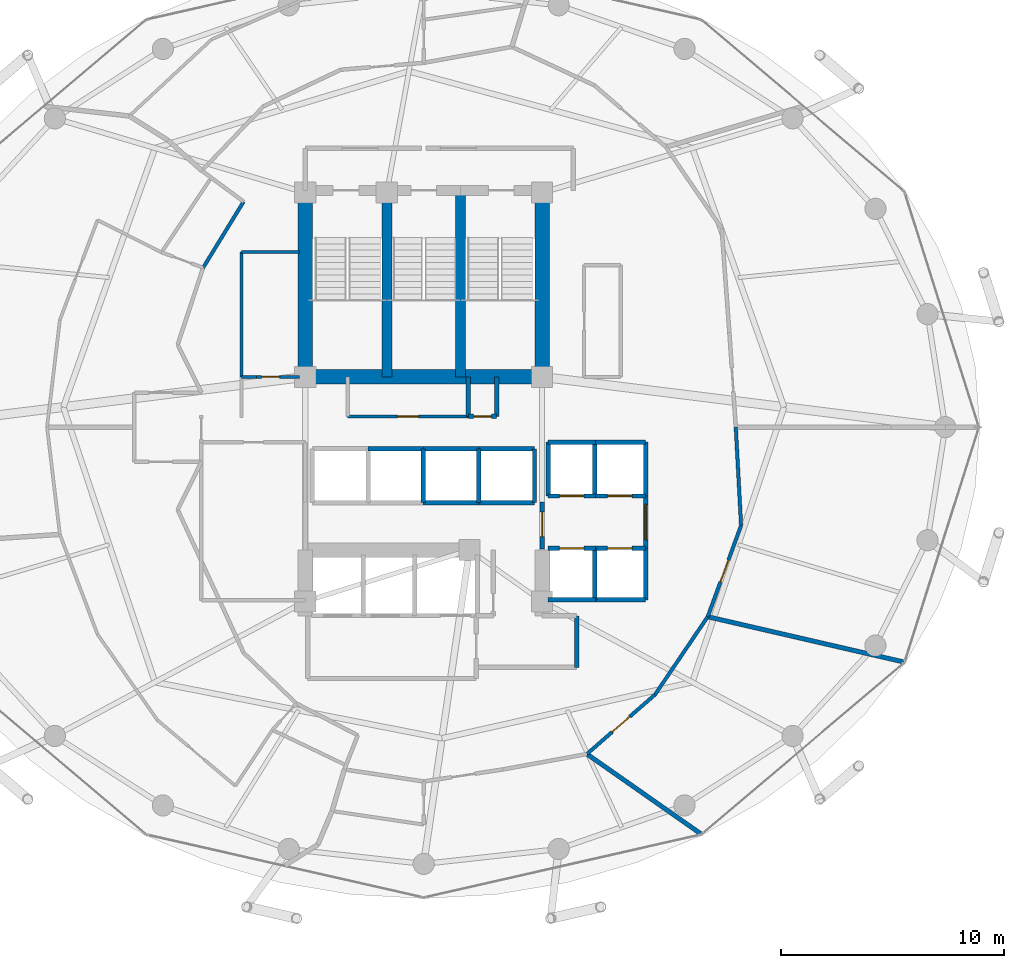
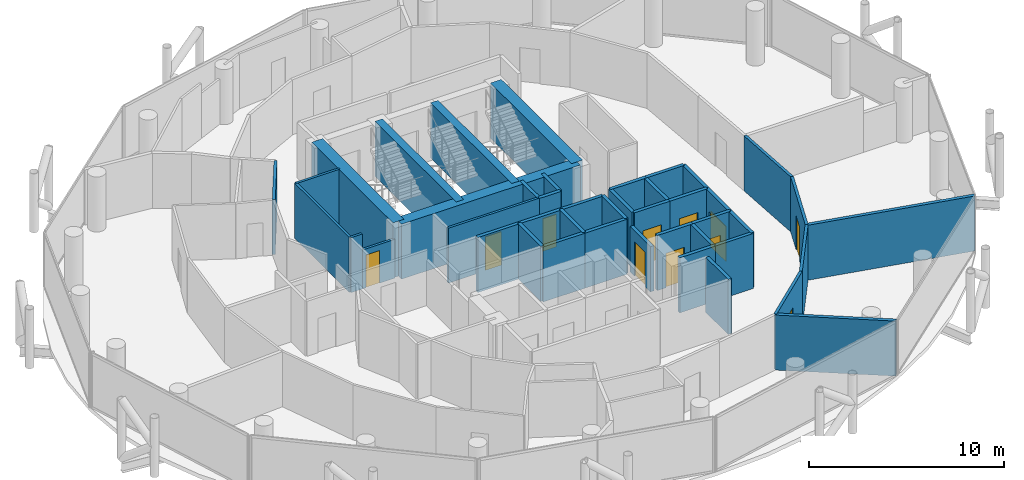
# One storey, part 23 of 27: 44 walls, 11 doors, 11 openings.
"""IFC4 building model written with IfcOpenShell, lengths in metres."""

from ifc_helpers import new_model, si_unit, direction, frame, frame_2d, origin, place, context, subcontext, project, spatial, rectangle, extrude, material, layer, layer_set, type_object, element, fill, save


model = new_model("IFC4")

# Units and contexts
model_context = context("Model", 3, precision=1e-05, world=origin(), true_north=direction((0.0, 1.0)))
body_context = subcontext(model_context, "Body", "Model", "MODEL_VIEW")
ifc_project = project(units=[si_unit("LENGTHUNIT", "METRE"), si_unit("AREAUNIT", "SQUARE_METRE"), si_unit("VOLUMEUNIT", "CUBIC_METRE"), si_unit("PLANEANGLEUNIT", "RADIAN"), si_unit("MASSUNIT", "GRAM", prefix="KILO")], contexts=[model_context])

# Site, building, storey
site_placement = place(None, origin())
site = spatial("IfcSite", under=ifc_project, at=site_placement, CompositionType="ELEMENT")
building_placement = place(site_placement, origin())
building = spatial("IfcBuilding", under=site, at=building_placement, Name="Nuhasar Tower", CompositionType="ELEMENT")
storey_placement = place(building_placement, frame((0.0, 0.0, 158.949951171875)))
storey = spatial("IfcBuildingStorey", under=building, at=storey_placement, Name="L38", CompositionType="ELEMENT", Elevation=158.949951171875)

# Walls
ifc_material_1 = material(Name="Concrete C50/60", Category="concrete")
ifc_layer_1 = layer(ifc_material_1, 0.449951171875)
ifc_layer_set_1 = layer_set([ifc_layer_1], Name="Concrete C50/60")
wall_type_1 = type_object("IfcWallType", Name="WL-CORE-450", PredefinedType="SHEAR", material=ifc_layer_set_1)
for number, where, z_axis, x_axis, name in (
    (1, (37.35009765625, 29.050048828125, 0.0), (0.0, 0.0, 1.0), (0.0, 1.0, 0.0), "L38 Stairwell Shear Wall ST01-E"),
    (2, (40.64990234375, 29.050048828125, 0.0), (0.0, 0.0, 1.0), (0.0, 1.0, 0.0), "L38 Stairwell Shear Wall ST03-E"),
):
    element("IfcWall", number, at=place(storey_placement, frame(where, z_axis=z_axis, x_axis=x_axis)), inside=storey, type_object=wall_type_1, Name=name, PredefinedType="SHEAR", context=body_context, shape_type="SweptSolid", body=[
        extrude(rectangle(XDim=8.349853515625, YDim=0.449951171875, at=frame_2d((4.1748046875, 0.0))), origin(), (0.0, 0.0, 1.0), 3.449951171875),
    ])
ifc_material_2 = material(Name="Concrete C65/80", Category="concrete")
ifc_layer_2 = layer(ifc_material_2, 0.64990234375)
ifc_layer_set_2 = layer_set([ifc_layer_2], Name="Concrete C65/80")
wall_type_2 = type_object("IfcWallType", Name="WL-CORE-650", PredefinedType="SHEAR", material=ifc_layer_set_2)
for number, where, z_axis, x_axis, name in (
    (3, (33.699951171875, 29.050048828125, 0.0), (0.0, 0.0, 1.0), (0.0, 1.0, 0.0), "L38 Core Shear Wall CW-NW CW-650"),
    (4, (44.300048828125, 29.050048828125, 0.0), (0.0, 0.0, 1.0), (0.0, 1.0, 0.0), "L38 Core Shear Wall CW-NE CW-650"),
):
    element("IfcWall", number, at=place(storey_placement, frame(where, z_axis=z_axis, x_axis=x_axis)), inside=storey, type_object=wall_type_2, Name=name, PredefinedType="SHEAR", context=body_context, shape_type="SweptSolid", body=[
        extrude(rectangle(XDim=8.349853515625, YDim=0.64990234375, at=frame_2d((4.1748046875, 0.0))), origin(), (0.0, 0.0, 1.0), 3.449951171875),
    ])
wall_1_placement = place(storey_placement, frame((33.699951171875, 29.050048828125, 0.0), z_axis=(0.0, 0.0, 1.0), x_axis=(1.0, 0.0, 0.0)))
element("IfcWall", 5, at=wall_1_placement, inside=storey, type_object=wall_type_2, Name="L38 Core Shear Wall CW-N1 CW-650", PredefinedType="SHEAR", context=body_context, shape_type="SweptSolid", body=[
    extrude(rectangle(XDim=10.60009765625, YDim=0.64990234375, at=frame_2d((5.300048828125, 0.0))), origin(), (0.0, 0.0, 1.0), 3.449951171875),
])

# Wall, opening, door
ifc_material_3 = material(Name="Gypsum Board", Category="gypsum")
ifc_layer_3 = layer(ifc_material_3, 0.159912109375)
ifc_layer_set_3 = layer_set([ifc_layer_3], Name="Gypsum Board")
wall_type_3 = type_object("IfcWallType", Name="WL-CORR-160", PredefinedType="PARTITIONING", material=ifc_layer_set_3)
wall_2_placement = place(storey_placement, frame((49.35595703125, 14.8291015625, 0.0), z_axis=(0.0, 0.0, 1.0), x_axis=(-0.753648555006, -0.657277609186, 0.0)))
wall_2 = element("IfcWall", 6, at=wall_2_placement, inside=storey, type_object=wall_type_3, Name="L38 Interior Partition CORR-40", PredefinedType="PARTITIONING", context=body_context, shape_type="SweptSolid", body=[
    extrude(rectangle(XDim=4.045654296875, YDim=0.159912109375, at=frame_2d((2.02294921875, 0.0))), origin(), (0.0, 0.0, 1.0), 3.449951171875),
])
opening_1_placement = place(wall_2_placement, frame((1.498046875, 0.0, 0.0)))
opening_1 = element("IfcOpeningElement", 7, at=opening_1_placement, cuts=wall_2, Name="Opening DU-01", PredefinedType="OPENING", context=body_context, shape_type="SweptSolid", body=[
    extrude(rectangle(XDim=1.050048828125, YDim=2.14990234375, at=frame_2d((0.52490234375, 1.074951171875))), frame((0.0, 0.08984375, 0.0), z_axis=(0.0, -1.0, 0.0), x_axis=(1.0, 0.0, 0.0)), (0.0, 0.0, 1.0), 0.179931640625),
])
ifc_material_4 = material(Name="Timber Oak", Category="wood")
door_type_1 = type_object("IfcDoorType", Name="DR-SUITE-FD60-1050", OperationType="NOTDEFINED", PredefinedType="DOOR", material=ifc_material_4)
door_1_placement = place(opening_1_placement, origin())
door_1 = element("IfcDoor", 8, at=door_1_placement, inside=storey, type_object=door_type_1, Name="L38 Longevity Spa Treatment Clinic 1 Entrance Door", OperationType="SINGLE_SWING_LEFT", OverallHeight=2.14990234375, OverallWidth=1.050048828125, PredefinedType="DOOR", context=body_context, shape_type="SweptSolid", body=[
    extrude(rectangle(XDim=1.050048828125, YDim=2.14990234375, at=frame_2d((0.52490234375, 1.074951171875))), frame((0.0, 0.02490234375, 0.0), z_axis=(0.0, -1.0, 0.0), x_axis=(1.0, 0.0, 0.0)), (0.0, 0.0, 1.0), 0.050048828125),
])
fill(opening_1, door_1)

# Wall
wall_3_placement = place(storey_placement, frame((49.35595703125, 14.8291015625, 0.0), z_axis=(0.0, 0.0, 1.0), x_axis=(0.560323414083, 0.828273910992, 0.0)))
element("IfcWall", 9, at=wall_3_placement, inside=storey, type_object=wall_type_3, Name="L38 Interior Partition CORR-42", PredefinedType="PARTITIONING", context=body_context, shape_type="SweptSolid", body=[
    extrude(rectangle(XDim=4.20849609375, YDim=0.159912109375, at=frame_2d((2.104248046875, 0.0))), origin(), (0.0, 0.0, 1.0), 3.449951171875),
])

# Wall, opening, door
wall_4_placement = place(storey_placement, frame((53.2080078125, 22.39892578125, 0.0), z_axis=(0.0, 0.0, 1.0), x_axis=(-0.343532016379, -0.939140965842, 0.0)))
wall_4 = element("IfcWall", 10, at=wall_4_placement, inside=storey, type_object=wall_type_3, Name="L38 Interior Partition CORR-44", PredefinedType="PARTITIONING", context=body_context, shape_type="SweptSolid", body=[
    extrude(rectangle(XDim=4.3486328125, YDim=0.159912109375, at=frame_2d((2.17431640625, 0.0))), origin(), (0.0, 0.0, 1.0), 3.449951171875),
])
opening_2_placement = place(wall_4_placement, frame((1.64892578125, 0.0, 0.0)))
opening_2 = element("IfcOpeningElement", 11, at=opening_2_placement, cuts=wall_4, Name="Opening DU-01", PredefinedType="OPENING", context=body_context, shape_type="SweptSolid", body=[
    extrude(rectangle(XDim=1.050048828125, YDim=2.14990234375, at=frame_2d((0.52490234375, 1.074951171875))), frame((0.0, 0.08984375, 0.0), z_axis=(0.0, -1.0, 0.0), x_axis=(1.0, 0.0, 0.0)), (0.0, 0.0, 1.0), 0.179931640625),
])
door_2_placement = place(opening_2_placement, origin())
door_2 = element("IfcDoor", 12, at=door_2_placement, inside=storey, type_object=door_type_1, Name="L38 Hydrotherapy Consult Clinic 2 Entrance Door", OperationType="SINGLE_SWING_LEFT", OverallHeight=2.14990234375, OverallWidth=1.050048828125, PredefinedType="DOOR", context=body_context, shape_type="SweptSolid", body=[
    extrude(rectangle(XDim=1.050048828125, YDim=2.14990234375, at=frame_2d((0.52490234375, 1.074951171875))), frame((0.0, 0.02490234375, 0.0), z_axis=(0.0, -1.0, 0.0), x_axis=(1.0, 0.0, 0.0)), (0.0, 0.0, 1.0), 0.050048828125),
])
fill(opening_2, door_2)

# Walls
wall_5_placement = place(storey_placement, frame((53.2080078125, 22.39892578125, 0.0), z_axis=(0.0, 0.0, 1.0), x_axis=(-0.054006604754, 0.998540578366, 0.0)))
element("IfcWall", 13, at=wall_5_placement, inside=storey, type_object=wall_type_3, Name="L38 Interior Partition CORR-46", PredefinedType="PARTITIONING", context=body_context, shape_type="SweptSolid", body=[
    extrude(rectangle(XDim=4.407470703125, YDim=0.159912109375, at=frame_2d((2.20361328125, 0.0))), origin(), (0.0, 0.0, 1.0), 3.449951171875),
])
wall_6_placement = place(storey_placement, frame((30.93896484375, 36.89697265625, 0.0), z_axis=(0.0, 0.0, 1.0), x_axis=(-0.522486120877, -0.852647789823, 0.0)))
element("IfcWall", 14, at=wall_6_placement, inside=storey, type_object=wall_type_3, Name="L38 Interior Partition HWEST-CORE-N-18", PredefinedType="PARTITIONING", context=body_context, shape_type="SweptSolid", body=[
    extrude(rectangle(XDim=3.468017578125, YDim=0.159912109375, at=frame_2d((1.73388671875, 0.0))), origin(), (0.0, 0.0, 1.0), 3.449951171875),
])

# Wall, opening, door
ifc_material_5 = material(Name="Concrete C45/55", Category="concrete")
ifc_layer_4 = layer(ifc_material_5, 0.199951171875)
ifc_layer_set_4 = layer_set([ifc_layer_4], Name="Concrete C45/55")
wall_type_4 = type_object("IfcWallType", Name="WL-LOBBY-200", PredefinedType="SOLIDWALL", material=ifc_layer_set_4)
wall_7_placement = place(storey_placement, frame((48.929931640625, 21.3798828125, 0.0), z_axis=(0.0, 0.0, 1.0), x_axis=(0.0, 1.0, 0.0)))
wall_7 = element("IfcWall", 15, at=wall_7_placement, inside=storey, type_object=wall_type_4, Name="L38 Interior Partition LLBM-E", PredefinedType="SOLIDWALL", context=body_context, shape_type="SweptSolid", body=[
    extrude(rectangle(XDim=2.340087890625, YDim=0.199951171875, at=frame_2d((1.169921875, 0.0))), origin(), (0.0, 0.0, 1.0), 3.449951171875),
])
opening_3_placement = place(wall_7_placement, frame((0.3701171875, 0.0, 0.0)))
opening_3 = element("IfcOpeningElement", 16, at=opening_3_placement, cuts=wall_7, Name="Opening DC-01", PredefinedType="OPENING", context=body_context, shape_type="SweptSolid", body=[
    extrude(rectangle(XDim=1.60009765625, YDim=2.199951171875, at=frame_2d((0.800048828125, 1.10009765625))), frame((0.0, 0.10986328125, 0.0), z_axis=(0.0, -1.0, 0.0), x_axis=(1.0, 0.0, 0.0)), (0.0, 0.0, 1.0), 0.219970703125),
])
ifc_material_6 = material(Name="Steel S355", Category="steel")
door_type_2 = type_object("IfcDoorType", Name="DR-CORR-FD60-1600", OperationType="DOUBLE_DOOR_SINGLE_SWING", PredefinedType="DOOR", material=ifc_material_6)
door_3_placement = place(opening_3_placement, origin())
door_3 = element("IfcDoor", 17, at=door_3_placement, inside=storey, type_object=door_type_2, Name="L38 Mid-Rise Lift Lobby East Entry", OperationType="DOUBLE_DOOR_SINGLE_SWING", OverallHeight=2.199951171875, OverallWidth=1.60009765625, PredefinedType="DOOR", context=body_context, shape_type="SweptSolid", body=[
    extrude(rectangle(XDim=1.60009765625, YDim=2.199951171875, at=frame_2d((0.800048828125, 1.10009765625))), frame((0.0, 0.02490234375, 0.0), z_axis=(0.0, -1.0, 0.0), x_axis=(1.0, 0.0, 0.0)), (0.0, 0.0, 1.0), 0.050048828125),
])
fill(opening_3, door_3)

wall_8_placement = place(storey_placement, frame((44.300048828125, 21.35009765625, 0.0), z_axis=(0.0, 0.0, 1.0), x_axis=(0.0, 1.0, 0.0)))
wall_8 = element("IfcWall", 18, at=wall_8_placement, inside=storey, type_object=wall_type_4, Name="L38 Interior Partition LLBH-E", PredefinedType="SOLIDWALL", context=body_context, shape_type="SweptSolid", body=[
    extrude(rectangle(XDim=2.099853515625, YDim=0.199951171875, at=frame_2d((1.0498046875, 0.0))), origin(), (0.0, 0.0, 1.0), 2.8349609375),
])
opening_4_placement = place(wall_8_placement, frame((0.550048828125, 0.0, 0.0)))
opening_4 = element("IfcOpeningElement", 19, at=opening_4_placement, cuts=wall_8, Name="Opening DS-02", PredefinedType="OPENING", context=body_context, shape_type="SweptSolid", body=[
    extrude(rectangle(XDim=1.10009765625, YDim=2.14990234375, at=frame_2d((0.550048828125, 1.074951171875))), frame((0.0, 0.10986328125, 0.0), z_axis=(0.0, -1.0, 0.0), x_axis=(1.0, 0.0, 0.0)), (0.0, 0.0, 1.0), 0.219970703125),
])
door_type_3 = type_object("IfcDoorType", Name="DR-FFL-FD120-1100", OperationType="NOTDEFINED", PredefinedType="DOOR", material=ifc_material_6)
door_4_placement = place(opening_4_placement, origin())
door_4 = element("IfcDoor", 20, at=door_4_placement, inside=storey, type_object=door_type_3, Name="L38 High-Rise Lobby East Door", OperationType="SINGLE_SWING_RIGHT", OverallHeight=2.14990234375, OverallWidth=1.10009765625, PredefinedType="DOOR", context=body_context, shape_type="SweptSolid", body=[
    extrude(rectangle(XDim=1.10009765625, YDim=2.14990234375, at=frame_2d((0.550048828125, 1.074951171875))), frame((0.0, 0.02490234375, 0.0), z_axis=(0.0, -1.0, 0.0), x_axis=(1.0, 0.0, 0.0)), (0.0, 0.0, 1.0), 0.050048828125),
])
fill(opening_4, door_4)

# Walls
wall_9_placement = place(storey_placement, frame((45.85009765625, 16.050048828125, 0.0), z_axis=(0.0, 0.0, 1.0), x_axis=(0.0, 1.0, 0.0)))
element("IfcWall", 21, at=wall_9_placement, inside=storey, type_object=wall_type_4, Name="L38 Interior Partition SVLV-E", PredefinedType="SOLIDWALL", context=body_context, shape_type="SweptSolid", body=[
    extrude(rectangle(XDim=2.300048828125, YDim=0.199951171875, at=frame_2d((1.14990234375, 0.0))), origin(), (0.0, 0.0, 1.0), 3.449951171875),
])
ifc_layer_5 = layer(ifc_material_5, 0.199951171875)
ifc_layer_set_5 = layer_set([ifc_layer_5], Name="Concrete C45/55")
wall_type_5 = type_object("IfcWallType", Name="WL-SHAFT-200", PredefinedType="SOLIDWALL", material=ifc_layer_set_5)
for number, where, z_axis, x_axis, name in (
    (22, (41.0, 27.280029296875, 0.0), (0.0, 0.0, 1.0), (0.0, 1.0, 0.0), "L38 Interior Partition RSRN-W"),
    (23, (42.260009765625, 27.280029296875, 0.0), (0.0, 0.0, 1.0), (0.0, 1.0, 0.0), "L38 Interior Partition RSRN-E"),
):
    element("IfcWall", number, at=place(storey_placement, frame(where, z_axis=z_axis, x_axis=x_axis)), inside=storey, type_object=wall_type_5, Name=name, PredefinedType="SOLIDWALL", context=body_context, shape_type="SweptSolid", body=[
        extrude(rectangle(XDim=1.77001953125, YDim=0.199951171875, at=frame_2d((0.885009765625, 0.0))), origin(), (0.0, 0.0, 1.0), 3.449951171875),
    ])

# Wall, opening, door
wall_10_placement = place(storey_placement, frame((41.0, 27.280029296875, 0.0), z_axis=(0.0, 0.0, 1.0), x_axis=(1.0, 0.0, 0.0)))
wall_10 = element("IfcWall", 24, at=wall_10_placement, inside=storey, type_object=wall_type_5, Name="L38 Interior Partition RSRN-S", PredefinedType="SOLIDWALL", context=body_context, shape_type="SweptSolid", body=[
    extrude(rectangle(XDim=1.260009765625, YDim=0.199951171875, at=frame_2d((0.6298828125, 0.0))), origin(), (0.0, 0.0, 1.0), 3.449951171875),
])
opening_5_placement = place(wall_10_placement, frame((0.22998046875, 0.0, 0.0)))
opening_5 = element("IfcOpeningElement", 25, at=opening_5_placement, cuts=wall_10, Name="Opening DM-01", PredefinedType="OPENING", context=body_context, shape_type="SweptSolid", body=[
    extrude(rectangle(XDim=0.800048828125, YDim=2.050048828125, at=frame_2d((0.39990234375, 1.02490234375))), frame((0.0, 0.10986328125, 0.0), z_axis=(0.0, -1.0, 0.0), x_axis=(1.0, 0.0, 0.0)), (0.0, 0.0, 1.0), 0.219970703125),
])
door_type_4 = type_object("IfcDoorType", Name="DR-RISER-FD60-800", OperationType="NOTDEFINED", PredefinedType="DOOR", material=ifc_material_6)
door_5_placement = place(opening_5_placement, origin())
door_5 = element("IfcDoor", 26, at=door_5_placement, inside=storey, type_object=door_type_4, Name="L38 North Smoke Riser Door", OperationType="SINGLE_SWING_RIGHT", OverallHeight=2.050048828125, OverallWidth=0.800048828125, PredefinedType="DOOR", context=body_context, shape_type="SweptSolid", body=[
    extrude(rectangle(XDim=0.800048828125, YDim=2.050048828125, at=frame_2d((0.39990234375, 1.02490234375))), frame((0.0, 0.02490234375, 0.0), z_axis=(0.0, -1.0, 0.0), x_axis=(1.0, 0.0, 0.0)), (0.0, 0.0, 1.0), 0.050048828125),
])
fill(opening_5, door_5)

wall_11_placement = place(storey_placement, frame((44.570068359375, 23.719970703125, 0.0), z_axis=(0.0, 0.0, 1.0), x_axis=(1.0, 0.0, 0.0)))
wall_11 = element("IfcWall", 27, at=wall_11_placement, inside=storey, type_object=wall_type_5, Name="L38 Interior Partition SHF-PL-M01-S", PredefinedType="SOLIDWALL", context=body_context, shape_type="SweptSolid", body=[
    extrude(rectangle(XDim=2.10986328125, YDim=0.199951171875, at=frame_2d((1.054931640625, 0.0))), origin(), (0.0, 0.0, 1.0), 3.449951171875),
])
opening_6_placement = place(wall_11_placement, frame((0.5048828125, 0.0, 0.0)))
opening_6 = element("IfcOpeningElement", 28, at=opening_6_placement, cuts=wall_11, Name="Opening LD-M01", PredefinedType="OPENING", context=body_context, shape_type="SweptSolid", body=[
    extrude(rectangle(XDim=1.10009765625, YDim=2.14990234375, at=frame_2d((0.550048828125, 1.074951171875))), frame((0.0, 0.10986328125, 0.0), z_axis=(0.0, -1.0, 0.0), x_axis=(1.0, 0.0, 0.0)), (0.0, 0.0, 1.0), 0.219970703125),
])
ifc_material_7 = material(Name="Stainless Steel 316L", Category="steel")
door_type_5 = type_object("IfcDoorType", Name="LD-PAX-1100", OperationType="DOUBLE_DOOR_SLIDING", PredefinedType="DOOR", material=ifc_material_7)
door_6_placement = place(opening_6_placement, origin())
door_6 = element("IfcDoor", 29, at=door_6_placement, inside=storey, type_object=door_type_5, Name="L38 Lift Landing Door PL-M01", OperationType="DOUBLE_DOOR_SLIDING", OverallHeight=2.14990234375, OverallWidth=1.10009765625, PredefinedType="DOOR", context=body_context, shape_type="SweptSolid", body=[
    extrude(rectangle(XDim=1.10009765625, YDim=2.14990234375, at=frame_2d((0.550048828125, 1.074951171875))), frame((0.0, 0.02490234375, 0.0), z_axis=(0.0, -1.0, 0.0), x_axis=(1.0, 0.0, 0.0)), (0.0, 0.0, 1.0), 0.050048828125),
])
fill(opening_6, door_6)

# Walls
wall_12_placement = place(storey_placement, frame((44.570068359375, 26.1298828125, 0.0), z_axis=(0.0, 0.0, 1.0), x_axis=(1.0, 0.0, 0.0)))
element("IfcWall", 30, at=wall_12_placement, inside=storey, type_object=wall_type_5, Name="L38 Interior Partition SHF-PL-M01-N", PredefinedType="SOLIDWALL", context=body_context, shape_type="SweptSolid", body=[
    extrude(rectangle(XDim=2.10986328125, YDim=0.199951171875, at=frame_2d((1.054931640625, 0.0))), origin(), (0.0, 0.0, 1.0), 3.449951171875),
])
for number, where, z_axis, x_axis, name in (
    (31, (44.570068359375, 23.719970703125, 0.0), (0.0, 0.0, 1.0), (0.0, 1.0, 0.0), "L38 Interior Partition SHF-PL-M01-W"),
    (32, (46.64990234375, 23.719970703125, 0.0), (0.0, 0.0, 1.0), (0.0, 1.0, 0.0), "L38 Interior Partition SHF-PL-M01-E"),
):
    element("IfcWall", number, at=place(storey_placement, frame(where, z_axis=z_axis, x_axis=x_axis)), inside=storey, type_object=wall_type_5, Name=name, PredefinedType="SOLIDWALL", context=body_context, shape_type="SweptSolid", body=[
        extrude(rectangle(XDim=2.409912109375, YDim=0.199951171875, at=frame_2d((1.205078125, 0.0))), origin(), (0.0, 0.0, 1.0), 3.449951171875),
    ])

# Wall, opening, door
wall_13_placement = place(storey_placement, frame((46.6201171875, 23.719970703125, 0.0), z_axis=(0.0, 0.0, 1.0), x_axis=(1.0, 0.0, 0.0)))
wall_13 = element("IfcWall", 33, at=wall_13_placement, inside=storey, type_object=wall_type_5, Name="L38 Interior Partition SHF-PL-M02-S", PredefinedType="SOLIDWALL", context=body_context, shape_type="SweptSolid", body=[
    extrude(rectangle(XDim=2.309814453125, YDim=0.199951171875, at=frame_2d((1.15478515625, 0.0))), origin(), (0.0, 0.0, 1.0), 3.449951171875),
])
opening_7_placement = place(wall_13_placement, frame((0.60498046875, 0.0, 0.0)))
opening_7 = element("IfcOpeningElement", 34, at=opening_7_placement, cuts=wall_13, Name="Opening LD-M02", PredefinedType="OPENING", context=body_context, shape_type="SweptSolid", body=[
    extrude(rectangle(XDim=1.10009765625, YDim=2.14990234375, at=frame_2d((0.550048828125, 1.074951171875))), frame((0.0, 0.10986328125, 0.0), z_axis=(0.0, -1.0, 0.0), x_axis=(1.0, 0.0, 0.0)), (0.0, 0.0, 1.0), 0.219970703125),
])
door_7_placement = place(opening_7_placement, origin())
door_7 = element("IfcDoor", 35, at=door_7_placement, inside=storey, type_object=door_type_5, Name="L38 Lift Landing Door PL-M02", OperationType="DOUBLE_DOOR_SLIDING", OverallHeight=2.14990234375, OverallWidth=1.10009765625, PredefinedType="DOOR", context=body_context, shape_type="SweptSolid", body=[
    extrude(rectangle(XDim=1.10009765625, YDim=2.14990234375, at=frame_2d((0.550048828125, 1.074951171875))), frame((0.0, 0.02490234375, 0.0), z_axis=(0.0, -1.0, 0.0), x_axis=(1.0, 0.0, 0.0)), (0.0, 0.0, 1.0), 0.050048828125),
])
fill(opening_7, door_7)

# Walls
wall_14_placement = place(storey_placement, frame((46.6201171875, 26.1298828125, 0.0), z_axis=(0.0, 0.0, 1.0), x_axis=(1.0, 0.0, 0.0)))
element("IfcWall", 36, at=wall_14_placement, inside=storey, type_object=wall_type_5, Name="L38 Interior Partition SHF-PL-M02-N", PredefinedType="SOLIDWALL", context=body_context, shape_type="SweptSolid", body=[
    extrude(rectangle(XDim=2.309814453125, YDim=0.199951171875, at=frame_2d((1.15478515625, 0.0))), origin(), (0.0, 0.0, 1.0), 3.449951171875),
])
wall_15_placement = place(storey_placement, frame((48.929931640625, 23.719970703125, 0.0), z_axis=(0.0, 0.0, 1.0), x_axis=(0.0, 1.0, 0.0)))
element("IfcWall", 37, at=wall_15_placement, inside=storey, type_object=wall_type_5, Name="L38 Interior Partition SHF-PL-M02-E", PredefinedType="SOLIDWALL", context=body_context, shape_type="SweptSolid", body=[
    extrude(rectangle(XDim=2.409912109375, YDim=0.199951171875, at=frame_2d((1.205078125, 0.0))), origin(), (0.0, 0.0, 1.0), 3.449951171875),
])
wall_16_placement = place(storey_placement, frame((44.570068359375, 19.070068359375, 0.0), z_axis=(0.0, 0.0, 1.0), x_axis=(1.0, 0.0, 0.0)))
element("IfcWall", 38, at=wall_16_placement, inside=storey, type_object=wall_type_5, Name="L38 Interior Partition SHF-PL-M03-S", PredefinedType="SOLIDWALL", context=body_context, shape_type="SweptSolid", body=[
    extrude(rectangle(XDim=2.10986328125, YDim=0.199951171875, at=frame_2d((1.054931640625, 0.0))), origin(), (0.0, 0.0, 1.0), 3.449951171875),
])

# Wall, opening, door
wall_17_placement = place(storey_placement, frame((44.570068359375, 21.3798828125, 0.0), z_axis=(0.0, 0.0, 1.0), x_axis=(1.0, 0.0, 0.0)))
wall_17 = element("IfcWall", 39, at=wall_17_placement, inside=storey, type_object=wall_type_5, Name="L38 Interior Partition SHF-PL-M03-N", PredefinedType="SOLIDWALL", context=body_context, shape_type="SweptSolid", body=[
    extrude(rectangle(XDim=2.10986328125, YDim=0.199951171875, at=frame_2d((1.054931640625, 0.0))), origin(), (0.0, 0.0, 1.0), 3.449951171875),
])
opening_8_placement = place(wall_17_placement, frame((0.5048828125, 0.0, 0.0)))
opening_8 = element("IfcOpeningElement", 40, at=opening_8_placement, cuts=wall_17, Name="Opening LD-M03", PredefinedType="OPENING", context=body_context, shape_type="SweptSolid", body=[
    extrude(rectangle(XDim=1.10009765625, YDim=2.14990234375, at=frame_2d((0.550048828125, 1.074951171875))), frame((0.0, 0.10986328125, 0.0), z_axis=(0.0, -1.0, 0.0), x_axis=(1.0, 0.0, 0.0)), (0.0, 0.0, 1.0), 0.219970703125),
])
door_8_placement = place(opening_8_placement, origin())
door_8 = element("IfcDoor", 41, at=door_8_placement, inside=storey, type_object=door_type_5, Name="L38 Lift Landing Door PL-M03", OperationType="DOUBLE_DOOR_SLIDING", OverallHeight=2.14990234375, OverallWidth=1.10009765625, PredefinedType="DOOR", context=body_context, shape_type="SweptSolid", body=[
    extrude(rectangle(XDim=1.10009765625, YDim=2.14990234375, at=frame_2d((0.550048828125, 1.074951171875))), frame((0.0, 0.02490234375, 0.0), z_axis=(0.0, -1.0, 0.0), x_axis=(1.0, 0.0, 0.0)), (0.0, 0.0, 1.0), 0.050048828125),
])
fill(opening_8, door_8)

# Walls
for number, where, z_axis, x_axis, name in (
    (42, (46.64990234375, 19.070068359375, 0.0), (0.0, 0.0, 1.0), (0.0, 1.0, 0.0), "L38 Interior Partition SHF-PL-M03-E"),
    (43, (46.6201171875, 19.070068359375, 0.0), (0.0, 0.0, 1.0), (1.0, 0.0, 0.0), "L38 Interior Partition SHF-PL-M04-S"),
):
    element("IfcWall", number, at=place(storey_placement, frame(where, z_axis=z_axis, x_axis=x_axis)), inside=storey, type_object=wall_type_5, Name=name, PredefinedType="SOLIDWALL", context=body_context, shape_type="SweptSolid", body=[
        extrude(rectangle(XDim=2.309814453125, YDim=0.199951171875, at=frame_2d((1.15478515625, 0.0))), origin(), (0.0, 0.0, 1.0), 3.449951171875),
    ])

# Wall, opening, door
wall_18_placement = place(storey_placement, frame((46.6201171875, 21.3798828125, 0.0), z_axis=(0.0, 0.0, 1.0), x_axis=(1.0, 0.0, 0.0)))
wall_18 = element("IfcWall", 44, at=wall_18_placement, inside=storey, type_object=wall_type_5, Name="L38 Interior Partition SHF-PL-M04-N", PredefinedType="SOLIDWALL", context=body_context, shape_type="SweptSolid", body=[
    extrude(rectangle(XDim=2.309814453125, YDim=0.199951171875, at=frame_2d((1.15478515625, 0.0))), origin(), (0.0, 0.0, 1.0), 3.449951171875),
])
opening_9_placement = place(wall_18_placement, frame((0.60498046875, 0.0, 0.0)))
opening_9 = element("IfcOpeningElement", 45, at=opening_9_placement, cuts=wall_18, Name="Opening LD-M04", PredefinedType="OPENING", context=body_context, shape_type="SweptSolid", body=[
    extrude(rectangle(XDim=1.10009765625, YDim=2.14990234375, at=frame_2d((0.550048828125, 1.074951171875))), frame((0.0, 0.10986328125, 0.0), z_axis=(0.0, -1.0, 0.0), x_axis=(1.0, 0.0, 0.0)), (0.0, 0.0, 1.0), 0.219970703125),
])
door_9_placement = place(opening_9_placement, origin())
door_9 = element("IfcDoor", 46, at=door_9_placement, inside=storey, type_object=door_type_5, Name="L38 Lift Landing Door PL-M04", OperationType="DOUBLE_DOOR_SLIDING", OverallHeight=2.14990234375, OverallWidth=1.10009765625, PredefinedType="DOOR", context=body_context, shape_type="SweptSolid", body=[
    extrude(rectangle(XDim=1.10009765625, YDim=2.14990234375, at=frame_2d((0.550048828125, 1.074951171875))), frame((0.0, 0.02490234375, 0.0), z_axis=(0.0, -1.0, 0.0), x_axis=(1.0, 0.0, 0.0)), (0.0, 0.0, 1.0), 0.050048828125),
])
fill(opening_9, door_9)

# Walls
wall_19_placement = place(storey_placement, frame((48.929931640625, 19.070068359375, 0.0), z_axis=(0.0, 0.0, 1.0), x_axis=(0.0, 1.0, 0.0)))
element("IfcWall", 47, at=wall_19_placement, inside=storey, type_object=wall_type_5, Name="L38 Interior Partition SHF-PL-M04-E", PredefinedType="SOLIDWALL", context=body_context, shape_type="SweptSolid", body=[
    extrude(rectangle(XDim=2.309814453125, YDim=0.199951171875, at=frame_2d((1.15478515625, 0.0))), origin(), (0.0, 0.0, 1.0), 3.449951171875),
])
wall_20_placement = place(storey_placement, frame((36.5, 25.830078125, 0.0), z_axis=(0.0, 0.0, 1.0), x_axis=(1.0, 0.0, 0.0)))
element("IfcWall", 48, at=wall_20_placement, inside=storey, type_object=wall_type_5, Name="L38 Interior Partition SHF-PL-H02-N", PredefinedType="SOLIDWALL", context=body_context, shape_type="SweptSolid", body=[
    extrude(rectangle(XDim=2.5, YDim=0.199951171875, at=frame_2d((1.25, 0.0))), origin(), (0.0, 0.0, 1.0), 3.449951171875),
])
wall_21_placement = place(storey_placement, frame((38.989990234375, 23.419921875, 0.0), z_axis=(0.0, 0.0, 1.0), x_axis=(0.0, 1.0, 0.0)))
element("IfcWall", 49, at=wall_21_placement, inside=storey, type_object=wall_type_5, Name="L38 Interior Partition SHF-PL-H02-E", PredefinedType="SOLIDWALL", context=body_context, shape_type="SweptSolid", body=[
    extrude(rectangle(XDim=2.41015625, YDim=0.199951171875, at=frame_2d((1.205078125, 0.0))), origin(), (0.0, 0.0, 1.0), 3.449951171875),
])
for number, where, z_axis, x_axis, name in (
    (50, (38.97998046875, 23.419921875, 0.0), (0.0, 0.0, 1.0), (1.0, 0.0, 0.0), "L38 Interior Partition SHF-PL-H03-S"),
    (51, (38.97998046875, 25.830078125, 0.0), (0.0, 0.0, 1.0), (1.0, 0.0, 0.0), "L38 Interior Partition SHF-PL-H03-N"),
):
    element("IfcWall", number, at=place(storey_placement, frame(where, z_axis=z_axis, x_axis=x_axis)), inside=storey, type_object=wall_type_5, Name=name, PredefinedType="SOLIDWALL", context=body_context, shape_type="SweptSolid", body=[
        extrude(rectangle(XDim=2.5, YDim=0.199951171875, at=frame_2d((1.25, 0.0))), origin(), (0.0, 0.0, 1.0), 3.449951171875),
    ])
wall_22_placement = place(storey_placement, frame((41.469970703125, 23.419921875, 0.0), z_axis=(0.0, 0.0, 1.0), x_axis=(0.0, 1.0, 0.0)))
element("IfcWall", 52, at=wall_22_placement, inside=storey, type_object=wall_type_5, Name="L38 Interior Partition SHF-PL-H03-E", PredefinedType="SOLIDWALL", context=body_context, shape_type="SweptSolid", body=[
    extrude(rectangle(XDim=2.41015625, YDim=0.199951171875, at=frame_2d((1.205078125, 0.0))), origin(), (0.0, 0.0, 1.0), 3.449951171875),
])
for number, where, z_axis, x_axis, name in (
    (53, (41.4599609375, 23.419921875, 0.0), (0.0, 0.0, 1.0), (1.0, 0.0, 0.0), "L38 Interior Partition SHF-PL-H04-S"),
    (54, (41.4599609375, 25.830078125, 0.0), (0.0, 0.0, 1.0), (1.0, 0.0, 0.0), "L38 Interior Partition SHF-PL-H04-N"),
):
    element("IfcWall", number, at=place(storey_placement, frame(where, z_axis=z_axis, x_axis=x_axis)), inside=storey, type_object=wall_type_5, Name=name, PredefinedType="SOLIDWALL", context=body_context, shape_type="SweptSolid", body=[
        extrude(rectangle(XDim=2.5, YDim=0.199951171875, at=frame_2d((1.25, 0.0))), origin(), (0.0, 0.0, 1.0), 3.449951171875),
    ])
wall_23_placement = place(storey_placement, frame((43.9599609375, 23.419921875, 0.0), z_axis=(0.0, 0.0, 1.0), x_axis=(0.0, 1.0, 0.0)))
element("IfcWall", 55, at=wall_23_placement, inside=storey, type_object=wall_type_5, Name="L38 Interior Partition SHF-PL-H04-E", PredefinedType="SOLIDWALL", context=body_context, shape_type="SweptSolid", body=[
    extrude(rectangle(XDim=2.41015625, YDim=0.199951171875, at=frame_2d((1.205078125, 0.0))), origin(), (0.0, 0.0, 1.0), 3.449951171875),
])
ifc_material_8 = material(Name="Concrete C40/50 precast", Category="concrete")
ifc_layer_6 = layer(ifc_material_8, 0.199951171875)
ifc_layer_set_6 = layer_set([ifc_layer_6], Name="Concrete C40/50 precast")
wall_type_6 = type_object("IfcWallType", Name="WL-UNIT-200", PredefinedType="PARTITIONING", material=ifc_layer_set_6)
wall_24_placement = place(storey_placement, frame((46.306884765625, 12.169921875, 0.0), z_axis=(0.0, 0.0, 1.0), x_axis=(0.81896509242, -0.573843338724, 0.0)))
element("IfcWall", 56, at=wall_24_placement, inside=storey, type_object=wall_type_6, Name="L38 Interior Partition HRAD-40", PredefinedType="PARTITIONING", context=body_context, shape_type="SweptSolid", body=[
    extrude(rectangle(XDim=6.23486328125, YDim=0.199951171875, at=frame_2d((3.117431640625, 0.0))), origin(), (0.0, 0.0, 1.0), 3.449951171875),
])
wall_25_placement = place(storey_placement, frame((51.714111328125, 18.31494140625, 0.0), z_axis=(0.0, 0.0, 1.0), x_axis=(0.974377958843, -0.224916858687, 0.0)))
element("IfcWall", 57, at=wall_25_placement, inside=storey, type_object=wall_type_6, Name="L38 Interior Partition HRAD-44", PredefinedType="PARTITIONING", context=body_context, shape_type="SweptSolid", body=[
    extrude(rectangle(XDim=9.015869140625, YDim=0.199951171875, at=frame_2d((4.5078125, 0.0))), origin(), (0.0, 0.0, 1.0), 3.449951171875),
])

# Wall, opening, door
ifc_layer_7 = layer(ifc_material_8, 0.139892578125)
ifc_layer_set_7 = layer_set([ifc_layer_7], Name="Concrete C40/50 precast")
wall_type_7 = type_object("IfcWallType", Name="WL-WET-140", PredefinedType="PARTITIONING", material=ifc_layer_set_7)
wall_26_placement = place(storey_placement, frame((35.60009765625, 27.280029296875, 0.0), z_axis=(0.0, 0.0, 1.0), x_axis=(1.0, 0.0, 0.0)))
wall_26 = element("IfcWall", 58, at=wall_26_placement, inside=storey, type_object=wall_type_7, Name="L38 Interior Partition CSVC-S", PredefinedType="PARTITIONING", context=body_context, shape_type="SweptSolid", body=[
    extrude(rectangle(XDim=5.39990234375, YDim=0.139892578125, at=frame_2d((2.699951171875, 0.0))), origin(), (0.0, 0.0, 1.0), 3.449951171875),
])
opening_10_placement = place(wall_26_placement, frame((2.22509765625, 0.0, 0.0)))
opening_10 = element("IfcOpeningElement", 59, at=opening_10_placement, cuts=wall_26, Name="Opening DA-01", PredefinedType="OPENING", context=body_context, shape_type="SweptSolid", body=[
    extrude(rectangle(XDim=0.949951171875, YDim=2.10009765625, at=frame_2d((0.47509765625, 1.050048828125))), frame((0.0, 0.080078125, 0.0), z_axis=(0.0, -1.0, 0.0), x_axis=(1.0, 0.0, 0.0)), (0.0, 0.0, 1.0), 0.159912109375),
])
door_type_6 = type_object("IfcDoorType", Name="DR-ACCWC-950", OperationType="NOTDEFINED", PredefinedType="DOOR", material=ifc_material_4)
door_10_placement = place(opening_10_placement, origin())
door_10 = element("IfcDoor", 60, at=door_10_placement, inside=storey, type_object=door_type_6, Name="L38 Core Accessible Restroom Door", OperationType="SINGLE_SWING_LEFT", OverallHeight=2.10009765625, OverallWidth=0.949951171875, PredefinedType="DOOR", context=body_context, shape_type="SweptSolid", body=[
    extrude(rectangle(XDim=0.949951171875, YDim=2.10009765625, at=frame_2d((0.47509765625, 1.050048828125))), frame((0.0, 0.02490234375, 0.0), z_axis=(0.0, -1.0, 0.0), x_axis=(1.0, 0.0, 0.0)), (0.0, 0.0, 1.0), 0.050048828125),
])
fill(opening_10, door_10)

# Wall
wall_27_placement = place(storey_placement, frame((30.85009765625, 29.050048828125, 0.0), z_axis=(0.0, 0.0, 1.0), x_axis=(1.0, 0.0, 0.0)))
element("IfcWall", 61, at=wall_27_placement, inside=storey, type_object=wall_type_7, Name="L38 Interior Partition K3-NW-S", PredefinedType="PARTITIONING", context=body_context, shape_type="SweptSolid", body=[
    extrude(rectangle(XDim=0.66796875, YDim=0.139892578125, at=frame_2d((0.333984375, 0.0))), origin(), (0.0, 0.0, 1.0), 3.449951171875),
])

# Wall, opening, door
wall_28_placement = place(storey_placement, frame((31.51806640625, 29.050048828125, 0.0), z_axis=(0.0, 0.0, 1.0), x_axis=(1.0, 0.0, 0.0)))
wall_28 = element("IfcWall", 62, at=wall_28_placement, inside=storey, type_object=wall_type_7, Name="L38 Interior Partition K3-NW-S", PredefinedType="PARTITIONING", context=body_context, shape_type="SweptSolid", body=[
    extrude(rectangle(XDim=1.931884765625, YDim=0.139892578125, at=frame_2d((0.9658203125, 0.0))), origin(), (0.0, 0.0, 1.0), 2.43994140625),
])
opening_11_placement = place(wall_28_placement, frame((0.23193359375, 0.0, 0.0)))
opening_11 = element("IfcOpeningElement", 63, at=opening_11_placement, cuts=wall_28, Name="Opening DM-01", PredefinedType="OPENING", context=body_context, shape_type="SweptSolid", body=[
    extrude(rectangle(XDim=0.800048828125, YDim=2.050048828125, at=frame_2d((0.39990234375, 1.02490234375))), frame((0.0, 0.080078125, 0.0), z_axis=(0.0, -1.0, 0.0), x_axis=(1.0, 0.0, 0.0)), (0.0, 0.0, 1.0), 0.159912109375),
])
door_11_placement = place(opening_11_placement, origin())
door_11 = element("IfcDoor", 64, at=door_11_placement, inside=storey, type_object=door_type_4, Name="L38 NW Electrical Room Door", OperationType="SINGLE_SWING_LEFT", OverallHeight=2.050048828125, OverallWidth=0.800048828125, PredefinedType="DOOR", context=body_context, shape_type="SweptSolid", body=[
    extrude(rectangle(XDim=0.800048828125, YDim=2.050048828125, at=frame_2d((0.39990234375, 1.02490234375))), frame((0.0, 0.02490234375, 0.0), z_axis=(0.0, -1.0, 0.0), x_axis=(1.0, 0.0, 0.0)), (0.0, 0.0, 1.0), 0.050048828125),
])
fill(opening_11, door_11)

# Walls
wall_29_placement = place(storey_placement, frame((30.85009765625, 34.64990234375, 0.0), z_axis=(0.0, 0.0, 1.0), x_axis=(1.0, 0.0, 0.0)))
element("IfcWall", 65, at=wall_29_placement, inside=storey, type_object=wall_type_7, Name="L38 Interior Partition K3-NW-N", PredefinedType="PARTITIONING", context=body_context, shape_type="SweptSolid", body=[
    extrude(rectangle(XDim=2.599853515625, YDim=0.139892578125, at=frame_2d((1.2998046875, 0.0))), origin(), (0.0, 0.0, 1.0), 3.449951171875),
])
wall_30_placement = place(storey_placement, frame((30.85009765625, 29.050048828125, 0.0), z_axis=(0.0, 0.0, 1.0), x_axis=(0.0, 1.0, 0.0)))
element("IfcWall", 66, at=wall_30_placement, inside=storey, type_object=wall_type_7, Name="L38 Interior Partition K3-NW-W", PredefinedType="PARTITIONING", context=body_context, shape_type="SweptSolid", body=[
    extrude(rectangle(XDim=5.599853515625, YDim=0.139892578125, at=frame_2d((2.7998046875, 0.0))), origin(), (0.0, 0.0, 1.0), 3.449951171875),
])

save(model, "model.ifc")
